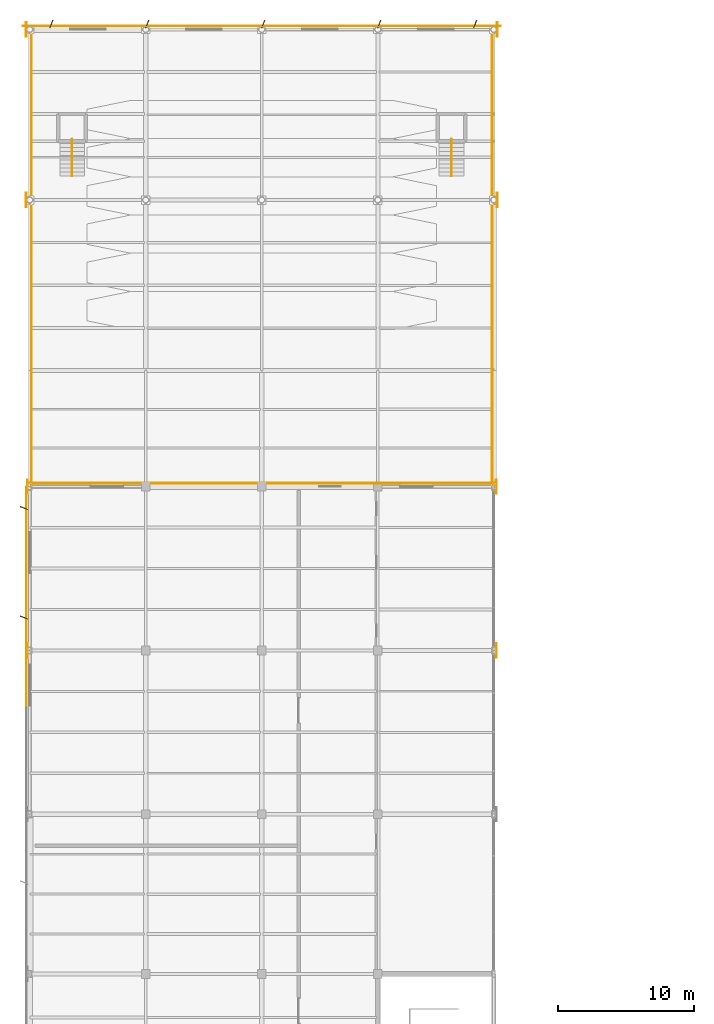
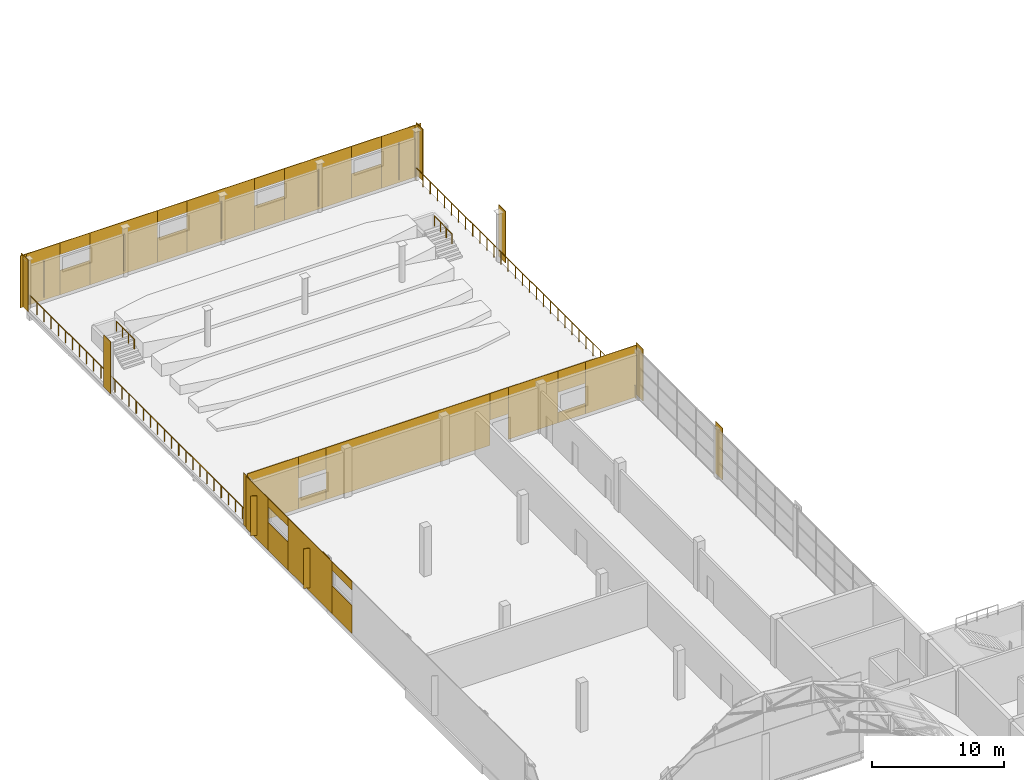
# One storey, part 83 of 86: 48 coverings, 4 railings.
"""IFC4 building model written with IfcOpenShell, lengths in metres."""

from ifc_helpers import new_model, si_unit, direction, frame, origin, origin_2d, place, context, subcontext, project, spatial, rectangle, circle, extrude, material, layer, layer_set, type_object, element, save


model = new_model("IFC4")

# Units and contexts
model_context = context("Model", 3, precision=1e-05, world=origin(), true_north=direction((0.0, 1.0)))
body_context = subcontext(model_context, "Body", "Model", "MODEL_VIEW")
ifc_project = project(units=[si_unit("LENGTHUNIT", "METRE"), si_unit("AREAUNIT", "SQUARE_METRE"), si_unit("VOLUMEUNIT", "CUBIC_METRE"), si_unit("PLANEANGLEUNIT", "RADIAN"), si_unit("MASSUNIT", "GRAM", prefix="KILO")], contexts=[model_context])

# Site, building, storey
site_placement = place(None, origin())
site = spatial("IfcSite", under=ifc_project, at=site_placement, CompositionType="ELEMENT")
building_placement = place(site_placement, origin())
building = spatial("IfcBuilding", under=site, at=building_placement, Name="Solvikara Media Centre", CompositionType="ELEMENT")
storey_placement = place(building_placement, frame((0.0, 0.0, 15.0)))
storey = spatial("IfcBuildingStorey", under=building, at=storey_placement, Name="L03", CompositionType="ELEMENT", Elevation=15.0)

# Coverings
ifc_material_1 = material(Name="GFRC white mineral architectural rainscreen panel")
ifc_layer = layer(ifc_material_1, 0.050048828125)
ifc_layer_set = layer_set([ifc_layer], Name="GFRC white mineral architectural rainscreen panel")
covering_type = type_object("IfcCoveringType", Name="CV-04", PredefinedType="CLADDING", material=ifc_layer_set)
for number, where, z_axis, x_axis, name in (
    (1, (-0.175048828125, 68.5, 0.0), (0.0, 0.0, 1.0), (0.0, -1.0, 0.0), "PIL-L03-028"),
    (2, (-0.175048828125, 80.5, 0.0), (0.0, 0.0, 1.0), (0.0, -1.0, 0.0), "PIL-L03-032"),
    (3, (-0.25390625, 101.5, 0.0), (0.0, 0.0, 1.0), (0.0, -1.0, 0.0), "PIL-L03-039"),
    (4, (-0.25390625, 114.0, 0.0), (0.0, 0.0, 1.0), (0.0, -1.0, 0.0), "PIL-L03-046"),
    (5, (0.0, 114.25390625, 0.0), (0.0, 0.0, 1.0), (-1.0, 0.0, 0.0), "PIL-L03-047"),
    (6, (8.5, 114.25390625, 0.0), (0.0, 0.0, 1.0), (-1.0, 0.0, 0.0), "PIL-L03-054"),
    (7, (17.0, 114.25390625, 0.0), (0.0, 0.0, 1.0), (-1.0, 0.0, 0.0), "PIL-L03-061"),
    (8, (25.5, 114.25390625, 0.0), (0.0, 0.0, 1.0), (-1.0, 0.0, 0.0), "PIL-L03-068"),
    (9, (34.175048828125, 68.5, 0.0), (0.0, 0.0, 1.0), (0.0, 1.0, 0.0), "PIL-L03-076"),
    (10, (34.175048828125, 80.5, 0.0), (0.0, 0.0, 1.0), (0.0, 1.0, 0.0), "PIL-L03-080"),
    (11, (34.25390625, 101.5, 0.0), (0.0, 0.0, 1.0), (0.0, 1.0, 0.0), "PIL-L03-087"),
    (12, (34.25390625, 114.0, 0.0), (0.0, 0.0, 1.0), (0.0, 1.0, 0.0), "PIL-L03-094"),
    (13, (34.0, 114.25390625, 0.0), (0.0, 0.0, 1.0), (-1.0, 0.0, 0.0), "PIL-L03-095"),
):
    element("IfcCovering", number, at=place(storey_placement, frame(where, z_axis=z_axis, x_axis=x_axis)), inside=storey, type_object=covering_type, Name=name, PredefinedType="CLADDING", context=body_context, shape_type="SweptSolid", body=[
        extrude(rectangle(XDim=1.0400390625, YDim=0.050048828125, at=origin_2d()), origin(), (0.0, 0.0, 1.0), 4.800048828125),
    ])
covering_1_placement = place(storey_placement, frame((1.47509765625, 114.2451171875, 0.0), z_axis=(0.0, 0.0, 1.0), x_axis=(1.0, 0.0, 0.0)))
element("IfcCovering", 14, at=covering_1_placement, inside=storey, type_object=covering_type, Name="L03-V3STGN-CV-F01", PredefinedType="CLADDING", context=body_context, shape_type="SweptSolid", body=[
    extrude(rectangle(XDim=2.949951171875, YDim=0.050048828125, at=origin_2d()), origin(), (0.0, 0.0, 1.0), 4.800048828125),
])
covering_2_placement = place(storey_placement, frame((1.5849609375, 114.39990234375, 0.35009765625), z_axis=(0.0, 0.0, 1.0), x_axis=(0.3656566557, 0.930749810713, 0.0)))
element("IfcCovering", 15, at=covering_2_placement, inside=storey, type_object=covering_type, Name="L03-V3STGN-FIN-01", PredefinedType="CLADDING", context=body_context, shape_type="SweptSolid", body=[
    extrude(rectangle(XDim=0.60205078125, YDim=0.050048828125, at=origin_2d()), origin(), (0.0, 0.0, 1.0), 3.340087890625),
])
covering_3_placement = place(storey_placement, frame((4.25, 114.2451171875, 0.0), z_axis=(0.0, 0.0, 1.0), x_axis=(1.0, 0.0, 0.0)))
element("IfcCovering", 16, at=covering_3_placement, inside=storey, type_object=covering_type, Name="L03-V3STGN-CV-S02", PredefinedType="CLADDING", context=body_context, shape_type="SweptSolid", body=[
    extrude(rectangle(XDim=2.60009765625, YDim=0.050048828125, at=origin_2d()), origin(), (0.0, 0.0, 1.0), 2.25),
])
covering_4_placement = place(storey_placement, frame((4.25, 114.2451171875, 3.7099609375), z_axis=(0.0, 0.0, 1.0), x_axis=(1.0, 0.0, 0.0)))
element("IfcCovering", 17, at=covering_4_placement, inside=storey, type_object=covering_type, Name="L03-V3STGN-CV-H02", PredefinedType="CLADDING", context=body_context, shape_type="SweptSolid", body=[
    extrude(rectangle(XDim=2.60009765625, YDim=0.050048828125, at=origin_2d()), origin(), (0.0, 0.0, 1.0), 1.090087890625),
])
covering_5_placement = place(storey_placement, frame((8.5, 114.2451171875, 0.0), z_axis=(0.0, 0.0, 1.0), x_axis=(1.0, 0.0, 0.0)))
element("IfcCovering", 18, at=covering_5_placement, inside=storey, type_object=covering_type, Name="L03-V3STGN-CV-F03", PredefinedType="CLADDING", context=body_context, shape_type="SweptSolid", body=[
    extrude(rectangle(XDim=5.89990234375, YDim=0.050048828125, at=origin_2d()), origin(), (0.0, 0.0, 1.0), 4.800048828125),
])
covering_6_placement = place(storey_placement, frame((8.610107421875, 114.39990234375, 0.35009765625), z_axis=(0.0, 0.0, 1.0), x_axis=(0.3656566557, 0.930749810713, 0.0)))
element("IfcCovering", 19, at=covering_6_placement, inside=storey, type_object=covering_type, Name="L03-V3STGN-FIN-03", PredefinedType="CLADDING", context=body_context, shape_type="SweptSolid", body=[
    extrude(rectangle(XDim=0.60205078125, YDim=0.050048828125, at=origin_2d()), origin(), (0.0, 0.0, 1.0), 3.340087890625),
])
covering_7_placement = place(storey_placement, frame((12.75, 114.2451171875, 0.0), z_axis=(0.0, 0.0, 1.0), x_axis=(1.0, 0.0, 0.0)))
element("IfcCovering", 20, at=covering_7_placement, inside=storey, type_object=covering_type, Name="L03-V3STGN-CV-S04", PredefinedType="CLADDING", context=body_context, shape_type="SweptSolid", body=[
    extrude(rectangle(XDim=2.60009765625, YDim=0.050048828125, at=origin_2d()), origin(), (0.0, 0.0, 1.0), 2.25),
])
covering_8_placement = place(storey_placement, frame((12.75, 114.2451171875, 3.7099609375), z_axis=(0.0, 0.0, 1.0), x_axis=(1.0, 0.0, 0.0)))
element("IfcCovering", 21, at=covering_8_placement, inside=storey, type_object=covering_type, Name="L03-V3STGN-CV-H04", PredefinedType="CLADDING", context=body_context, shape_type="SweptSolid", body=[
    extrude(rectangle(XDim=2.60009765625, YDim=0.050048828125, at=origin_2d()), origin(), (0.0, 0.0, 1.0), 1.090087890625),
])
covering_9_placement = place(storey_placement, frame((17.0, 114.2451171875, 0.0), z_axis=(0.0, 0.0, 1.0), x_axis=(1.0, 0.0, 0.0)))
element("IfcCovering", 22, at=covering_9_placement, inside=storey, type_object=covering_type, Name="L03-V3STGN-CV-F05", PredefinedType="CLADDING", context=body_context, shape_type="SweptSolid", body=[
    extrude(rectangle(XDim=5.89990234375, YDim=0.050048828125, at=origin_2d()), origin(), (0.0, 0.0, 1.0), 4.800048828125),
])
covering_10_placement = place(storey_placement, frame((17.110107421875, 114.39990234375, 0.35009765625), z_axis=(0.0, 0.0, 1.0), x_axis=(0.3656566557, 0.930749810713, 0.0)))
element("IfcCovering", 23, at=covering_10_placement, inside=storey, type_object=covering_type, Name="L03-V3STGN-FIN-05", PredefinedType="CLADDING", context=body_context, shape_type="SweptSolid", body=[
    extrude(rectangle(XDim=0.60205078125, YDim=0.050048828125, at=origin_2d()), origin(), (0.0, 0.0, 1.0), 3.340087890625),
])
covering_11_placement = place(storey_placement, frame((21.25, 114.2451171875, 0.0), z_axis=(0.0, 0.0, 1.0), x_axis=(1.0, 0.0, 0.0)))
element("IfcCovering", 24, at=covering_11_placement, inside=storey, type_object=covering_type, Name="L03-V3STGN-CV-S06", PredefinedType="CLADDING", context=body_context, shape_type="SweptSolid", body=[
    extrude(rectangle(XDim=2.60009765625, YDim=0.050048828125, at=origin_2d()), origin(), (0.0, 0.0, 1.0), 2.25),
])
covering_12_placement = place(storey_placement, frame((21.25, 114.2451171875, 3.7099609375), z_axis=(0.0, 0.0, 1.0), x_axis=(1.0, 0.0, 0.0)))
element("IfcCovering", 25, at=covering_12_placement, inside=storey, type_object=covering_type, Name="L03-V3STGN-CV-H06", PredefinedType="CLADDING", context=body_context, shape_type="SweptSolid", body=[
    extrude(rectangle(XDim=2.60009765625, YDim=0.050048828125, at=origin_2d()), origin(), (0.0, 0.0, 1.0), 1.090087890625),
])
covering_13_placement = place(storey_placement, frame((25.5, 114.2451171875, 0.0), z_axis=(0.0, 0.0, 1.0), x_axis=(1.0, 0.0, 0.0)))
element("IfcCovering", 26, at=covering_13_placement, inside=storey, type_object=covering_type, Name="L03-V3STGN-CV-F07", PredefinedType="CLADDING", context=body_context, shape_type="SweptSolid", body=[
    extrude(rectangle(XDim=5.89990234375, YDim=0.050048828125, at=origin_2d()), origin(), (0.0, 0.0, 1.0), 4.800048828125),
])
covering_14_placement = place(storey_placement, frame((25.610107421875, 114.39990234375, 0.35009765625), z_axis=(0.0, 0.0, 1.0), x_axis=(0.3656566557, 0.930749810713, 0.0)))
element("IfcCovering", 27, at=covering_14_placement, inside=storey, type_object=covering_type, Name="L03-V3STGN-FIN-07", PredefinedType="CLADDING", context=body_context, shape_type="SweptSolid", body=[
    extrude(rectangle(XDim=0.60205078125, YDim=0.050048828125, at=origin_2d()), origin(), (0.0, 0.0, 1.0), 3.340087890625),
])
covering_15_placement = place(storey_placement, frame((29.75, 114.2451171875, 0.0), z_axis=(0.0, 0.0, 1.0), x_axis=(1.0, 0.0, 0.0)))
element("IfcCovering", 28, at=covering_15_placement, inside=storey, type_object=covering_type, Name="L03-V3STGN-CV-S08", PredefinedType="CLADDING", context=body_context, shape_type="SweptSolid", body=[
    extrude(rectangle(XDim=2.60009765625, YDim=0.050048828125, at=origin_2d()), origin(), (0.0, 0.0, 1.0), 2.25),
])
covering_16_placement = place(storey_placement, frame((29.75, 114.2451171875, 3.7099609375), z_axis=(0.0, 0.0, 1.0), x_axis=(1.0, 0.0, 0.0)))
element("IfcCovering", 29, at=covering_16_placement, inside=storey, type_object=covering_type, Name="L03-V3STGN-CV-H08", PredefinedType="CLADDING", context=body_context, shape_type="SweptSolid", body=[
    extrude(rectangle(XDim=2.60009765625, YDim=0.050048828125, at=origin_2d()), origin(), (0.0, 0.0, 1.0), 1.090087890625),
])
covering_17_placement = place(storey_placement, frame((32.52490234375, 114.2451171875, 0.0), z_axis=(0.0, 0.0, 1.0), x_axis=(1.0, 0.0, 0.0)))
element("IfcCovering", 30, at=covering_17_placement, inside=storey, type_object=covering_type, Name="L03-V3STGN-CV-F09", PredefinedType="CLADDING", context=body_context, shape_type="SweptSolid", body=[
    extrude(rectangle(XDim=2.949951171875, YDim=0.050048828125, at=origin_2d()), origin(), (0.0, 0.0, 1.0), 4.800048828125),
])
covering_18_placement = place(storey_placement, frame((32.635009765625, 114.39990234375, 0.35009765625), z_axis=(0.0, 0.0, 1.0), x_axis=(0.3656566557, 0.930749810713, 0.0)))
element("IfcCovering", 31, at=covering_18_placement, inside=storey, type_object=covering_type, Name="L03-V3STGN-FIN-09", PredefinedType="CLADDING", context=body_context, shape_type="SweptSolid", body=[
    extrude(rectangle(XDim=0.60205078125, YDim=0.050048828125, at=origin_2d()), origin(), (0.0, 0.0, 1.0), 3.340087890625),
])
covering_19_placement = place(storey_placement, frame((-0.2451171875, 65.949951171875, 0.0), z_axis=(0.0, 0.0, 1.0), x_axis=(0.0, 1.0, 0.0)))
element("IfcCovering", 32, at=covering_19_placement, inside=storey, type_object=covering_type, Name="L03-V4W-CV-S04", PredefinedType="CLADDING", context=body_context, shape_type="SweptSolid", body=[
    extrude(rectangle(XDim=3.0, YDim=0.050048828125, at=origin_2d()), origin(), (0.0, 0.0, 1.0), 2.568115234375),
])
covering_20_placement = place(storey_placement, frame((-0.2451171875, 65.949951171875, 4.028076171875), z_axis=(0.0, 0.0, 1.0), x_axis=(0.0, 1.0, 0.0)))
element("IfcCovering", 33, at=covering_20_placement, inside=storey, type_object=covering_type, Name="L03-V4W-CV-H04", PredefinedType="CLADDING", context=body_context, shape_type="SweptSolid", body=[
    extrude(rectangle(XDim=3.0, YDim=0.050048828125, at=origin_2d()), origin(), (0.0, 0.0, 1.0), 0.77197265625),
])
covering_21_placement = place(storey_placement, frame((-0.2451171875, 70.800048828125, 0.0), z_axis=(0.0, 0.0, 1.0), x_axis=(0.0, 1.0, 0.0)))
element("IfcCovering", 34, at=covering_21_placement, inside=storey, type_object=covering_type, Name="L03-V4W-CV-F05", PredefinedType="CLADDING", context=body_context, shape_type="SweptSolid", body=[
    extrude(rectangle(XDim=6.699951171875, YDim=0.050048828125, at=origin_2d()), origin(), (0.0, 0.0, 1.0), 4.800048828125),
])
covering_22_placement = place(storey_placement, frame((-0.425048828125, 70.909912109375, 0.35009765625), z_axis=(0.0, 0.0, 1.0), x_axis=(-0.930749810713, 0.3656566557, 0.0)))
element("IfcCovering", 35, at=covering_22_placement, inside=storey, type_object=covering_type, Name="L03-V4W-FIN-05", PredefinedType="CLADDING", context=body_context, shape_type="SweptSolid", body=[
    extrude(rectangle(XDim=0.60205078125, YDim=0.050048828125, at=origin_2d()), origin(), (0.0, 0.0, 1.0), 3.657958984375),
])
covering_23_placement = place(storey_placement, frame((-0.2451171875, 75.64990234375, 0.0), z_axis=(0.0, 0.0, 1.0), x_axis=(0.0, 1.0, 0.0)))
element("IfcCovering", 36, at=covering_23_placement, inside=storey, type_object=covering_type, Name="L03-V4W-CV-S06", PredefinedType="CLADDING", context=body_context, shape_type="SweptSolid", body=[
    extrude(rectangle(XDim=3.0, YDim=0.050048828125, at=origin_2d()), origin(), (0.0, 0.0, 1.0), 2.568115234375),
])
covering_24_placement = place(storey_placement, frame((-0.2451171875, 75.64990234375, 4.028076171875), z_axis=(0.0, 0.0, 1.0), x_axis=(0.0, 1.0, 0.0)))
element("IfcCovering", 37, at=covering_24_placement, inside=storey, type_object=covering_type, Name="L03-V4W-CV-H06", PredefinedType="CLADDING", context=body_context, shape_type="SweptSolid", body=[
    extrude(rectangle(XDim=3.0, YDim=0.050048828125, at=origin_2d()), origin(), (0.0, 0.0, 1.0), 0.77197265625),
])
covering_25_placement = place(storey_placement, frame((-0.2451171875, 78.824951171875, 0.0), z_axis=(0.0, 0.0, 1.0), x_axis=(0.0, 1.0, 0.0)))
element("IfcCovering", 38, at=covering_25_placement, inside=storey, type_object=covering_type, Name="L03-V4W-CV-F07", PredefinedType="CLADDING", context=body_context, shape_type="SweptSolid", body=[
    extrude(rectangle(XDim=3.35009765625, YDim=0.050048828125, at=origin_2d()), origin(), (0.0, 0.0, 1.0), 4.800048828125),
])
covering_26_placement = place(storey_placement, frame((-0.425048828125, 78.93505859375, 0.35009765625), z_axis=(0.0, 0.0, 1.0), x_axis=(-0.930749810713, 0.3656566557, 0.0)))
element("IfcCovering", 39, at=covering_26_placement, inside=storey, type_object=covering_type, Name="L03-V4W-FIN-07", PredefinedType="CLADDING", context=body_context, shape_type="SweptSolid", body=[
    extrude(rectangle(XDim=0.60205078125, YDim=0.050048828125, at=origin_2d()), origin(), (0.0, 0.0, 1.0), 3.657958984375),
])
covering_27_placement = place(storey_placement, frame((2.23291015625, 80.7451171875, 0.0), z_axis=(0.0, 0.0, 1.0), x_axis=(1.0, 0.0, 0.0)))
element("IfcCovering", 40, at=covering_27_placement, inside=storey, type_object=covering_type, Name="L03-V4N-CV-F01", PredefinedType="CLADDING", context=body_context, shape_type="SweptSolid", body=[
    extrude(rectangle(XDim=4.467041015625, YDim=0.050048828125, at=origin_2d()), origin(), (0.0, 0.0, 1.0), 4.800048828125),
])
covering_28_placement = place(storey_placement, frame((5.6669921875, 80.7451171875, 0.0), z_axis=(0.0, 0.0, 1.0), x_axis=(1.0, 0.0, 0.0)))
element("IfcCovering", 41, at=covering_28_placement, inside=storey, type_object=covering_type, Name="L03-V4N-CV-S02", PredefinedType="CLADDING", context=body_context, shape_type="SweptSolid", body=[
    extrude(rectangle(XDim=2.39990234375, YDim=0.050048828125, at=origin_2d()), origin(), (0.0, 0.0, 1.0), 0.969970703125),
])
covering_29_placement = place(storey_placement, frame((5.6669921875, 80.7451171875, 2.830078125), z_axis=(0.0, 0.0, 1.0), x_axis=(1.0, 0.0, 0.0)))
element("IfcCovering", 42, at=covering_29_placement, inside=storey, type_object=covering_type, Name="L03-V4N-CV-H02", PredefinedType="CLADDING", context=body_context, shape_type="SweptSolid", body=[
    extrude(rectangle(XDim=2.39990234375, YDim=0.050048828125, at=origin_2d()), origin(), (0.0, 0.0, 1.0), 1.969970703125),
])
covering_30_placement = place(storey_placement, frame((14.033935546875, 80.7451171875, 0.0), z_axis=(0.0, 0.0, 1.0), x_axis=(1.0, 0.0, 0.0)))
element("IfcCovering", 43, at=covering_30_placement, inside=storey, type_object=covering_type, Name="L03-V4N-CV-F03", PredefinedType="CLADDING", context=body_context, shape_type="SweptSolid", body=[
    extrude(rectangle(XDim=14.3330078125, YDim=0.050048828125, at=origin_2d()), origin(), (0.0, 0.0, 1.0), 4.800048828125),
])
covering_31_placement = place(storey_placement, frame((22.0, 80.7451171875, 2.35009765625), z_axis=(0.0, 0.0, 1.0), x_axis=(1.0, 0.0, 0.0)))
element("IfcCovering", 44, at=covering_31_placement, inside=storey, type_object=covering_type, Name="L03-V4N-CV-D04", PredefinedType="CLADDING", context=body_context, shape_type="SweptSolid", body=[
    extrude(rectangle(XDim=1.60009765625, YDim=0.050048828125, at=origin_2d()), origin(), (0.0, 0.0, 1.0), 2.449951171875),
])
covering_32_placement = place(storey_placement, frame((24.966064453125, 80.7451171875, 0.0), z_axis=(0.0, 0.0, 1.0), x_axis=(1.0, 0.0, 0.0)))
element("IfcCovering", 45, at=covering_32_placement, inside=storey, type_object=covering_type, Name="L03-V4N-CV-F05", PredefinedType="CLADDING", context=body_context, shape_type="SweptSolid", body=[
    extrude(rectangle(XDim=4.3330078125, YDim=0.050048828125, at=origin_2d()), origin(), (0.0, 0.0, 1.0), 4.800048828125),
])
covering_33_placement = place(storey_placement, frame((28.3330078125, 80.7451171875, 0.0), z_axis=(0.0, 0.0, 1.0), x_axis=(1.0, 0.0, 0.0)))
element("IfcCovering", 46, at=covering_33_placement, inside=storey, type_object=covering_type, Name="L03-V4N-CV-S06", PredefinedType="CLADDING", context=body_context, shape_type="SweptSolid", body=[
    extrude(rectangle(XDim=2.39990234375, YDim=0.050048828125, at=origin_2d()), origin(), (0.0, 0.0, 1.0), 0.969970703125),
])
covering_34_placement = place(storey_placement, frame((28.3330078125, 80.7451171875, 2.830078125), z_axis=(0.0, 0.0, 1.0), x_axis=(1.0, 0.0, 0.0)))
element("IfcCovering", 47, at=covering_34_placement, inside=storey, type_object=covering_type, Name="L03-V4N-CV-H06", PredefinedType="CLADDING", context=body_context, shape_type="SweptSolid", body=[
    extrude(rectangle(XDim=2.39990234375, YDim=0.050048828125, at=origin_2d()), origin(), (0.0, 0.0, 1.0), 1.969970703125),
])
covering_35_placement = place(storey_placement, frame((31.76708984375, 80.7451171875, 0.0), z_axis=(0.0, 0.0, 1.0), x_axis=(1.0, 0.0, 0.0)))
element("IfcCovering", 48, at=covering_35_placement, inside=storey, type_object=covering_type, Name="L03-V4N-CV-F07", PredefinedType="CLADDING", context=body_context, shape_type="SweptSolid", body=[
    extrude(rectangle(XDim=4.467041015625, YDim=0.050048828125, at=origin_2d()), origin(), (0.0, 0.0, 1.0), 4.800048828125),
])

# Railings
ifc_material_2 = material(Name="Steel S355JR", Category="steel")
railing_type_1 = type_object("IfcRailingType", Name="GR-01", PredefinedType="GUARDRAIL", material=ifc_material_2)
railing_1_placement = place(storey_placement, frame((0.1201171875, 80.6201171875, 0.0)))
element("IfcRailing", 49, at=railing_1_placement, inside=storey, type_object=railing_type_1, Name="GR-TER-L03A-W", PredefinedType="GUARDRAIL", context=body_context, shape_type="SweptSolid", body=[
    extrude(circle(Radius=0.02392578125, at=origin_2d()), frame((0.0, 0.0, 1.1259765625), z_axis=(0.0, 1.0, 0.0), x_axis=(-1.0, 0.0, 0.0)), (0.0, 0.0, 1.0), 33.259765625),
    extrude(circle(Radius=0.02099609375, at=origin_2d()), origin(), (0.0, 0.0, 1.0), 1.101806640625),
    extrude(circle(Radius=0.02099609375, at=origin_2d()), frame((0.0, 1.072998046875, 0.0)), (0.0, 0.0, 1.0), 1.101806640625),
    extrude(circle(Radius=0.02099609375, at=origin_2d()), frame((0.0, 2.145751953125, 0.0)), (0.0, 0.0, 1.0), 1.101806640625),
    extrude(circle(Radius=0.02099609375, at=origin_2d()), frame((0.0, 3.21875, 0.0)), (0.0, 0.0, 1.0), 1.101806640625),
    extrude(circle(Radius=0.02099609375, at=origin_2d()), frame((0.0, 4.29150390625, 0.0)), (0.0, 0.0, 1.0), 1.101806640625),
    extrude(circle(Radius=0.02099609375, at=origin_2d()), frame((0.0, 5.364501953125, 0.0)), (0.0, 0.0, 1.0), 1.101806640625),
    extrude(circle(Radius=0.02099609375, at=origin_2d()), frame((0.0, 6.437255859375, 0.0)), (0.0, 0.0, 1.0), 1.101806640625),
    extrude(circle(Radius=0.02099609375, at=origin_2d()), frame((0.0, 7.51025390625, 0.0)), (0.0, 0.0, 1.0), 1.101806640625),
    extrude(circle(Radius=0.02099609375, at=origin_2d()), frame((0.0, 8.583251953125, 0.0)), (0.0, 0.0, 1.0), 1.101806640625),
    extrude(circle(Radius=0.02099609375, at=origin_2d()), frame((0.0, 9.656005859375, 0.0)), (0.0, 0.0, 1.0), 1.101806640625),
    extrude(circle(Radius=0.02099609375, at=origin_2d()), frame((0.0, 10.72900390625, 0.0)), (0.0, 0.0, 1.0), 1.101806640625),
    extrude(circle(Radius=0.02099609375, at=origin_2d()), frame((0.0, 11.8017578125, 0.0)), (0.0, 0.0, 1.0), 1.101806640625),
    extrude(circle(Radius=0.02099609375, at=origin_2d()), frame((0.0, 12.874755859375, 0.0)), (0.0, 0.0, 1.0), 1.101806640625),
    extrude(circle(Radius=0.02099609375, at=origin_2d()), frame((0.0, 13.94775390625, 0.0)), (0.0, 0.0, 1.0), 1.101806640625),
    extrude(circle(Radius=0.02099609375, at=origin_2d()), frame((0.0, 15.0205078125, 0.0)), (0.0, 0.0, 1.0), 1.101806640625),
    extrude(circle(Radius=0.02099609375, at=origin_2d()), frame((0.0, 16.093505859375, 0.0)), (0.0, 0.0, 1.0), 1.101806640625),
    extrude(circle(Radius=0.02099609375, at=origin_2d()), frame((0.0, 17.166259765625, 0.0)), (0.0, 0.0, 1.0), 1.101806640625),
    extrude(circle(Radius=0.02099609375, at=origin_2d()), frame((0.0, 18.2392578125, 0.0)), (0.0, 0.0, 1.0), 1.101806640625),
    extrude(circle(Radius=0.02099609375, at=origin_2d()), frame((0.0, 19.31201171875, 0.0)), (0.0, 0.0, 1.0), 1.101806640625),
    extrude(circle(Radius=0.02099609375, at=origin_2d()), frame((0.0, 20.385009765625, 0.0)), (0.0, 0.0, 1.0), 1.101806640625),
    extrude(circle(Radius=0.02099609375, at=origin_2d()), frame((0.0, 21.4580078125, 0.0)), (0.0, 0.0, 1.0), 1.101806640625),
    extrude(circle(Radius=0.02099609375, at=origin_2d()), frame((0.0, 22.53076171875, 0.0)), (0.0, 0.0, 1.0), 1.101806640625),
    extrude(circle(Radius=0.02099609375, at=origin_2d()), frame((0.0, 23.603759765625, 0.0)), (0.0, 0.0, 1.0), 1.101806640625),
    extrude(circle(Radius=0.02099609375, at=origin_2d()), frame((0.0, 24.676513671875, 0.0)), (0.0, 0.0, 1.0), 1.101806640625),
    extrude(circle(Radius=0.02099609375, at=origin_2d()), frame((0.0, 25.74951171875, 0.0)), (0.0, 0.0, 1.0), 1.101806640625),
    extrude(circle(Radius=0.02099609375, at=origin_2d()), frame((0.0, 26.822509765625, 0.0)), (0.0, 0.0, 1.0), 1.101806640625),
    extrude(circle(Radius=0.02099609375, at=origin_2d()), frame((0.0, 27.895263671875, 0.0)), (0.0, 0.0, 1.0), 1.101806640625),
    extrude(circle(Radius=0.02099609375, at=origin_2d()), frame((0.0, 28.96826171875, 0.0)), (0.0, 0.0, 1.0), 1.101806640625),
    extrude(circle(Radius=0.02099609375, at=origin_2d()), frame((0.0, 30.041015625, 0.0)), (0.0, 0.0, 1.0), 1.101806640625),
    extrude(circle(Radius=0.02099609375, at=origin_2d()), frame((0.0, 31.114013671875, 0.0)), (0.0, 0.0, 1.0), 1.101806640625),
    extrude(circle(Radius=0.02099609375, at=origin_2d()), frame((0.0, 32.186767578125, 0.0)), (0.0, 0.0, 1.0), 1.101806640625),
    extrude(circle(Radius=0.02099609375, at=origin_2d()), frame((0.0, 33.259765625, 0.0)), (0.0, 0.0, 1.0), 1.101806640625),
])
railing_2_placement = place(storey_placement, frame((33.8798828125, 80.6201171875, 0.0)))
element("IfcRailing", 50, at=railing_2_placement, inside=storey, type_object=railing_type_1, Name="GR-TER-L03A-E", PredefinedType="GUARDRAIL", context=body_context, shape_type="SweptSolid", body=[
    extrude(circle(Radius=0.02392578125, at=origin_2d()), frame((0.0, 0.0, 1.1259765625), z_axis=(0.0, 1.0, 0.0), x_axis=(-1.0, 0.0, 0.0)), (0.0, 0.0, 1.0), 33.259765625),
    extrude(circle(Radius=0.02099609375, at=origin_2d()), origin(), (0.0, 0.0, 1.0), 1.101806640625),
    extrude(circle(Radius=0.02099609375, at=origin_2d()), frame((0.0, 1.072998046875, 0.0)), (0.0, 0.0, 1.0), 1.101806640625),
    extrude(circle(Radius=0.02099609375, at=origin_2d()), frame((0.0, 2.145751953125, 0.0)), (0.0, 0.0, 1.0), 1.101806640625),
    extrude(circle(Radius=0.02099609375, at=origin_2d()), frame((0.0, 3.21875, 0.0)), (0.0, 0.0, 1.0), 1.101806640625),
    extrude(circle(Radius=0.02099609375, at=origin_2d()), frame((0.0, 4.29150390625, 0.0)), (0.0, 0.0, 1.0), 1.101806640625),
    extrude(circle(Radius=0.02099609375, at=origin_2d()), frame((0.0, 5.364501953125, 0.0)), (0.0, 0.0, 1.0), 1.101806640625),
    extrude(circle(Radius=0.02099609375, at=origin_2d()), frame((0.0, 6.437255859375, 0.0)), (0.0, 0.0, 1.0), 1.101806640625),
    extrude(circle(Radius=0.02099609375, at=origin_2d()), frame((0.0, 7.51025390625, 0.0)), (0.0, 0.0, 1.0), 1.101806640625),
    extrude(circle(Radius=0.02099609375, at=origin_2d()), frame((0.0, 8.583251953125, 0.0)), (0.0, 0.0, 1.0), 1.101806640625),
    extrude(circle(Radius=0.02099609375, at=origin_2d()), frame((0.0, 9.656005859375, 0.0)), (0.0, 0.0, 1.0), 1.101806640625),
    extrude(circle(Radius=0.02099609375, at=origin_2d()), frame((0.0, 10.72900390625, 0.0)), (0.0, 0.0, 1.0), 1.101806640625),
    extrude(circle(Radius=0.02099609375, at=origin_2d()), frame((0.0, 11.8017578125, 0.0)), (0.0, 0.0, 1.0), 1.101806640625),
    extrude(circle(Radius=0.02099609375, at=origin_2d()), frame((0.0, 12.874755859375, 0.0)), (0.0, 0.0, 1.0), 1.101806640625),
    extrude(circle(Radius=0.02099609375, at=origin_2d()), frame((0.0, 13.94775390625, 0.0)), (0.0, 0.0, 1.0), 1.101806640625),
    extrude(circle(Radius=0.02099609375, at=origin_2d()), frame((0.0, 15.0205078125, 0.0)), (0.0, 0.0, 1.0), 1.101806640625),
    extrude(circle(Radius=0.02099609375, at=origin_2d()), frame((0.0, 16.093505859375, 0.0)), (0.0, 0.0, 1.0), 1.101806640625),
    extrude(circle(Radius=0.02099609375, at=origin_2d()), frame((0.0, 17.166259765625, 0.0)), (0.0, 0.0, 1.0), 1.101806640625),
    extrude(circle(Radius=0.02099609375, at=origin_2d()), frame((0.0, 18.2392578125, 0.0)), (0.0, 0.0, 1.0), 1.101806640625),
    extrude(circle(Radius=0.02099609375, at=origin_2d()), frame((0.0, 19.31201171875, 0.0)), (0.0, 0.0, 1.0), 1.101806640625),
    extrude(circle(Radius=0.02099609375, at=origin_2d()), frame((0.0, 20.385009765625, 0.0)), (0.0, 0.0, 1.0), 1.101806640625),
    extrude(circle(Radius=0.02099609375, at=origin_2d()), frame((0.0, 21.4580078125, 0.0)), (0.0, 0.0, 1.0), 1.101806640625),
    extrude(circle(Radius=0.02099609375, at=origin_2d()), frame((0.0, 22.53076171875, 0.0)), (0.0, 0.0, 1.0), 1.101806640625),
    extrude(circle(Radius=0.02099609375, at=origin_2d()), frame((0.0, 23.603759765625, 0.0)), (0.0, 0.0, 1.0), 1.101806640625),
    extrude(circle(Radius=0.02099609375, at=origin_2d()), frame((0.0, 24.676513671875, 0.0)), (0.0, 0.0, 1.0), 1.101806640625),
    extrude(circle(Radius=0.02099609375, at=origin_2d()), frame((0.0, 25.74951171875, 0.0)), (0.0, 0.0, 1.0), 1.101806640625),
    extrude(circle(Radius=0.02099609375, at=origin_2d()), frame((0.0, 26.822509765625, 0.0)), (0.0, 0.0, 1.0), 1.101806640625),
    extrude(circle(Radius=0.02099609375, at=origin_2d()), frame((0.0, 27.895263671875, 0.0)), (0.0, 0.0, 1.0), 1.101806640625),
    extrude(circle(Radius=0.02099609375, at=origin_2d()), frame((0.0, 28.96826171875, 0.0)), (0.0, 0.0, 1.0), 1.101806640625),
    extrude(circle(Radius=0.02099609375, at=origin_2d()), frame((0.0, 30.041015625, 0.0)), (0.0, 0.0, 1.0), 1.101806640625),
    extrude(circle(Radius=0.02099609375, at=origin_2d()), frame((0.0, 31.114013671875, 0.0)), (0.0, 0.0, 1.0), 1.101806640625),
    extrude(circle(Radius=0.02099609375, at=origin_2d()), frame((0.0, 32.186767578125, 0.0)), (0.0, 0.0, 1.0), 1.101806640625),
    extrude(circle(Radius=0.02099609375, at=origin_2d()), frame((0.0, 33.259765625, 0.0)), (0.0, 0.0, 1.0), 1.101806640625),
])
railing_type_2 = type_object("IfcRailingType", Name="HR-01", PredefinedType="HANDRAIL", material=ifc_material_2)
for number, where, name in (
    (51, (3.10009765625, 103.25, 1.60009765625), "HR-ST-AMPH-W"),
    (52, (30.89990234375, 103.25, 1.60009765625), "HR-ST-AMPH-E"),
):
    element("IfcRailing", number, at=place(storey_placement, frame(where)), inside=storey, type_object=railing_type_2, Name=name, PredefinedType="HANDRAIL", context=body_context, shape_type="SweptSolid", body=[
        extrude(circle(Radius=0.02392578125, at=origin_2d()), frame((0.0, 0.0, 0.89599609375), z_axis=(0.0, 1.0, 0.0), x_axis=(-1.0, 0.0, 0.0)), (0.0, 0.0, 1.0), 2.699951171875),
        extrude(circle(Radius=0.02099609375, at=origin_2d()), origin(), (0.0, 0.0, 1.0), 0.871826171875),
        extrude(circle(Radius=0.02099609375, at=origin_2d()), frame((0.0, 0.89990234375, 0.0)), (0.0, 0.0, 1.0), 0.871826171875),
        extrude(circle(Radius=0.02099609375, at=origin_2d()), frame((0.0, 1.800048828125, 0.0)), (0.0, 0.0, 1.0), 0.871826171875),
        extrude(circle(Radius=0.02099609375, at=origin_2d()), frame((0.0, 2.699951171875, 0.0)), (0.0, 0.0, 1.0), 0.871826171875),
    ])

save(model, "model.ifc")
